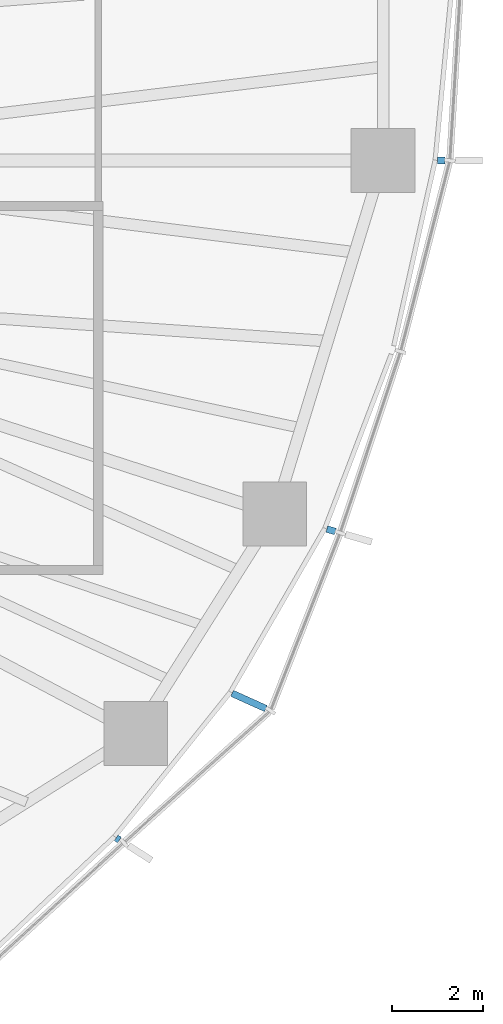
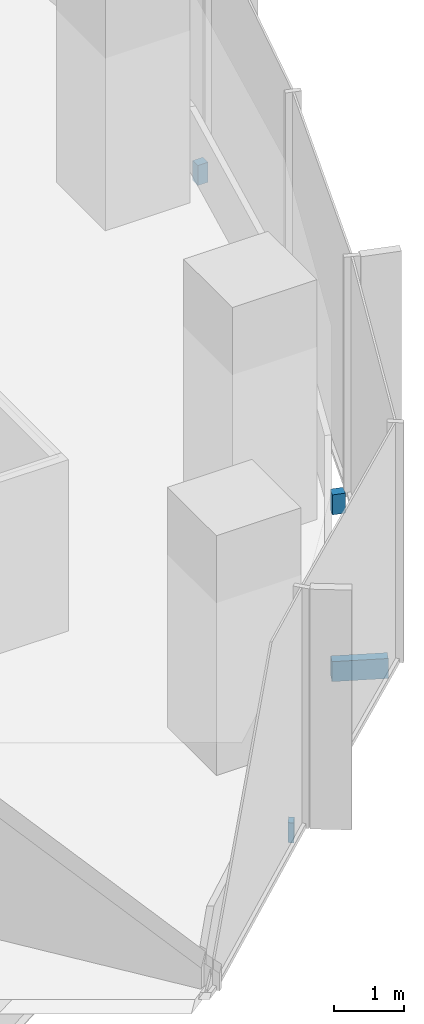
# One storey, part 14 of 18: 4 discrete accessories.
"""IFC4 building model written with IfcOpenShell, lengths in metres."""

from ifc_helpers import new_model, si_unit, direction, frame, origin, origin_2d, place, context, subcontext, project, spatial, rectangle, extrude, material, type_object, element, save


model = new_model("IFC4")

# Units and contexts
model_context = context("Model", 3, precision=1e-05, world=origin(), true_north=direction((0.0, 1.0)))
body_context = subcontext(model_context, "Body", "Model", "MODEL_VIEW")
ifc_project = project(units=[si_unit("LENGTHUNIT", "METRE"), si_unit("AREAUNIT", "SQUARE_METRE"), si_unit("VOLUMEUNIT", "CUBIC_METRE"), si_unit("PLANEANGLEUNIT", "RADIAN"), si_unit("MASSUNIT", "GRAM", prefix="KILO")], contexts=[model_context])

# Site, building, storey
site_placement = place(None, origin())
site = spatial("IfcSite", under=ifc_project, at=site_placement, CompositionType="ELEMENT")
building_placement = place(site_placement, origin())
building = spatial("IfcBuilding", under=site, at=building_placement, Name="Ghaith Harvest Tower", CompositionType="ELEMENT")
storey_placement = place(building_placement, frame((0.0, 0.0, 163.800048828125)))
storey = spatial("IfcBuildingStorey", under=building, at=storey_placement, Name="L35", CompositionType="ELEMENT", Elevation=163.800048828125)

# Discrete accessories
ifc_material_1 = material(Name="Stainless steel grade 1.4401", Category="steel")
discrete_accessory_type_1 = type_object("IfcDiscreteAccessoryType", Name="CURTAIN WALL BRACKET 165", PredefinedType="BRACKET", material=ifc_material_1)
discrete_accessory_1_placement = place(storey_placement, frame((30.5361328125, 0.0, -0.25), z_axis=(0.0, 0.0, 1.0), x_axis=(1.0, 0.0, 0.0)))
element("IfcDiscreteAccessory", 1, at=discrete_accessory_1_placement, inside=storey, type_object=discrete_accessory_type_1, Name="CW-L bracket 1 bay 01 L35", PredefinedType="BRACKET", context=body_context, shape_type="SweptSolid", body=[
    extrude(rectangle(XDim=0.1650390625, YDim=0.14990234375, at=origin_2d()), origin(), (0.0, 0.0, 1.0), 0.35009765625),
])
ifc_material_2 = material(Name="Stainless steel grade 1.4401", Category="steel")
discrete_accessory_type_2 = type_object("IfcDiscreteAccessoryType", Name="CURTAIN WALL BRACKET 195", PredefinedType="BRACKET", material=ifc_material_2)
discrete_accessory_2_placement = place(storey_placement, frame((28.1201171875, -8.127197265625, -0.25), z_axis=(0.0, 0.0, 1.0), x_axis=(0.960680349932, -0.277656739976, 0.0)))
element("IfcDiscreteAccessory", 2, at=discrete_accessory_2_placement, inside=storey, type_object=discrete_accessory_type_2, Name="CW-L bracket 1 bay 20 L35", PredefinedType="BRACKET", context=body_context, shape_type="SweptSolid", body=[
    extrude(rectangle(XDim=0.195068359375, YDim=0.14990234375, at=origin_2d()), origin(), (0.0, 0.0, 1.0), 0.35009765625),
])
ifc_material_3 = material(Name="Stainless steel grade 1.4401", Category="steel")
discrete_accessory_type_3 = type_object("IfcDiscreteAccessoryType", Name="CURTAIN WALL BRACKET 815", PredefinedType="BRACKET", material=ifc_material_3)
discrete_accessory_3_placement = place(storey_placement, frame((26.314697265625, -11.879638671875, -0.25), z_axis=(0.0, 0.0, 1.0), x_axis=(0.911426750831, -0.41146236507, 0.0)))
element("IfcDiscreteAccessory", 3, at=discrete_accessory_3_placement, inside=storey, type_object=discrete_accessory_type_3, Name="CW-L bracket 2 bay 19 L35", PredefinedType="BRACKET", context=body_context, shape_type="SweptSolid", body=[
    extrude(rectangle(XDim=0.81494140625, YDim=0.14990234375, at=origin_2d()), origin(), (0.0, 0.0, 1.0), 0.35009765625),
])
ifc_material_4 = material(Name="Stainless steel grade 1.4401", Category="steel")
discrete_accessory_type_4 = type_object("IfcDiscreteAccessoryType", Name="CURTAIN WALL BRACKET 85", PredefinedType="BRACKET", material=ifc_material_4)
discrete_accessory_4_placement = place(storey_placement, frame((23.431884765625, -14.912353515625, -0.25), z_axis=(0.0, 0.0, 1.0), x_axis=(0.84364397137, -0.536903016913, 0.0)))
element("IfcDiscreteAccessory", 4, at=discrete_accessory_4_placement, inside=storey, type_object=discrete_accessory_type_4, Name="CW-L bracket 1 bay 19 L35", PredefinedType="BRACKET", context=body_context, shape_type="SweptSolid", body=[
    extrude(rectangle(XDim=0.0849609375, YDim=0.14990234375, at=origin_2d()), origin(), (0.0, 0.0, 1.0), 0.35009765625),
])

save(model, "model.ifc")
